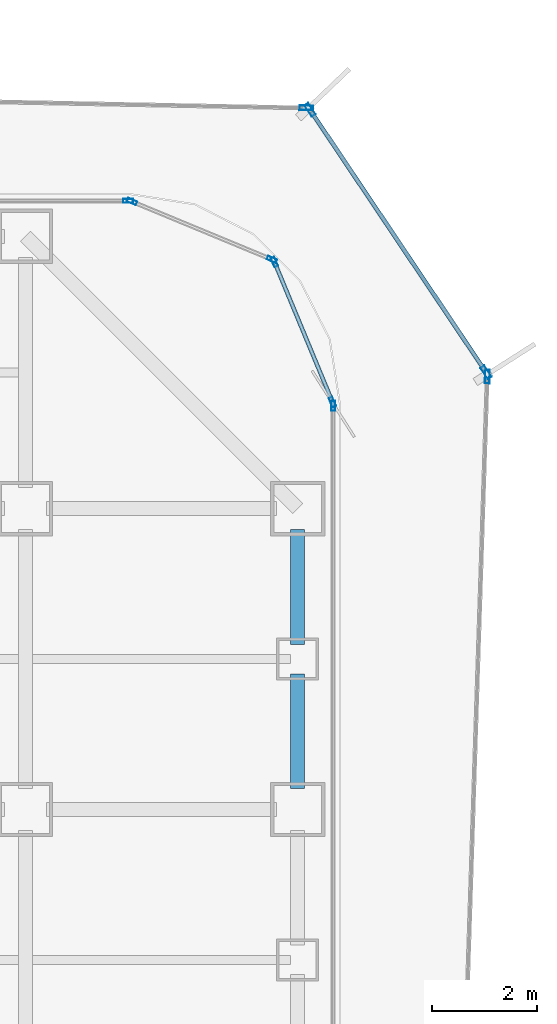
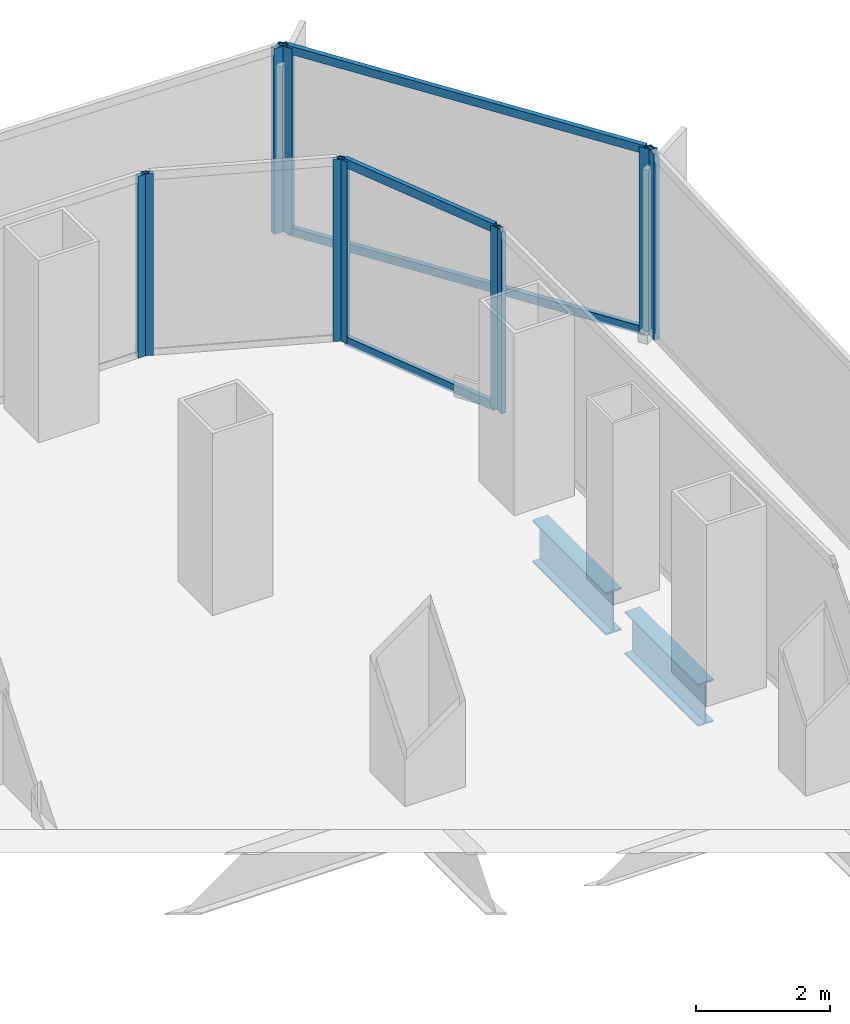
# One storey, part 15 of 21: 14 members, 2 beams, 7 elements without a shape of their own.
"""IFC4 building model written with IfcOpenShell, lengths in metres."""

from ifc_helpers import new_model, si_unit, direction, frame, origin, origin_2d, place, context, subcontext, project, spatial, hollow_rectangle, i_section, extrude, source, transform, mapped, material, layer, layer_set, material_profile, profile_set, type_object, element, aggregate, save


model = new_model("IFC4")

# Units and contexts
model_context = context("Model", 3, precision=1e-05, world=origin(), true_north=direction((0.0, 1.0)))
body_context = subcontext(model_context, "Body", "Model", "MODEL_VIEW")
ifc_project = project(units=[si_unit("LENGTHUNIT", "METRE"), si_unit("AREAUNIT", "SQUARE_METRE"), si_unit("VOLUMEUNIT", "CUBIC_METRE"), si_unit("PLANEANGLEUNIT", "RADIAN"), si_unit("MASSUNIT", "GRAM", prefix="KILO")], contexts=[model_context])

# Site, building, storey
site_placement = place(None, origin())
site = spatial("IfcSite", under=ifc_project, at=site_placement, CompositionType="ELEMENT")
building_placement = place(site_placement, origin())
building = spatial("IfcBuilding", under=site, at=building_placement, Name="Kolveth Station Tower", CompositionType="ELEMENT")
storey_placement = place(building_placement, frame((0.0, 0.0, 33.300048828125)))
storey = spatial("IfcBuildingStorey", under=building, at=storey_placement, Name="L08", CompositionType="ELEMENT", Elevation=33.300048828125)

# Beams
ifc_material_1 = material(Name="Steel S355", Category="steel")
ifc_material_profile_1 = material_profile(ifc_material_1, i_section(OverallWidth=0.26904296875, OverallDepth=0.77490234375, WebThickness=0.01708984375, FlangeThickness=0.0283203125, at=origin_2d()), Name="W760x220")
ifc_profile_set_1 = profile_set([ifc_material_profile_1], Name="Steel S355")
beam_type = type_object("IfcBeamType", Name="Beam_SP1", PredefinedType="SPANDREL", material=ifc_profile_set_1)
shared_shape_1 = source(origin(), body_context, "Body", "SweptSolid", [
    extrude(i_section(OverallWidth=0.26904296875, OverallDepth=0.77490234375, WebThickness=0.01708984375, FlangeThickness=0.0283203125, at=origin_2d()), origin(), (0.0, 0.0, 1.0), 2.2001953125),
])
beam_1_placement = place(storey_placement, frame((46.199951171875, 31.89990234375, -0.66748046875), z_axis=(0.0, 1.0, 0.0), x_axis=(-1.0, 0.0, 0.0)))
element("IfcBeam", 1, at=beam_1_placement, inside=storey, type_object=beam_type, Name="L08 Perimeter Spandrel BM-L08-PE-10", PredefinedType="SPANDREL", context=body_context, shape_type="MappedRepresentation", body=[
    mapped(shared_shape_1, transform((0.0, 0.0, 0.0), x_axis=(1.0, 0.0, 0.0), y_axis=(0.0, 1.0, 0.0), z_axis=(0.0, 0.0, 1.0), scale=1.0)),
])
shared_shape_2 = source(origin(), body_context, "Body", "SweptSolid", [
    extrude(i_section(OverallWidth=0.26904296875, OverallDepth=0.77490234375, WebThickness=0.01708984375, FlangeThickness=0.0283203125, at=origin_2d()), origin(), (0.0, 0.0, 1.0), 2.190185546875),
])
beam_2_placement = place(storey_placement, frame((46.199951171875, 29.14990234375, -0.66748046875), z_axis=(0.0, 1.0, 0.0), x_axis=(-1.0, 0.0, 0.0)))
element("IfcBeam", 2, at=beam_2_placement, inside=storey, type_object=beam_type, Name="L08 Perimeter Spandrel BM-L08-PE-9", PredefinedType="SPANDREL", context=body_context, shape_type="MappedRepresentation", body=[
    mapped(shared_shape_2, transform((0.0, 0.0, 0.0), x_axis=(1.0, 0.0, 0.0), y_axis=(0.0, 1.0, 0.0), z_axis=(0.0, 0.0, 1.0), scale=1.0)),
])

# Curtain wall, member
ifc_material_2 = material(Name="Aluminium 6063-T6 and low-E dark glass", Category="aluminium")
ifc_layer_1 = layer(ifc_material_2, 0.179931640625)
ifc_layer_set_1 = layer_set([ifc_layer_1], Name="Aluminium 6063-T6 and low-E dark glass")
curtain_wall_type_1 = type_object("IfcCurtainWallType", Name="CurtainWall_CW-Z1", PredefinedType="NOTDEFINED", material=ifc_layer_set_1)
curtain_wall_1_placement = place(storey_placement, origin())
curtain_wall_1 = element("IfcCurtainWall", 3, at=curtain_wall_1_placement, inside=storey, type_object=curtain_wall_type_1, Name="L08 Inner Thermal Curtain Wall 3", PredefinedType="NOTDEFINED")
ifc_material_3 = material(Name="Black anodized aluminium 6063-T6", Category="aluminium")
ifc_material_profile_2 = material_profile(ifc_material_3, hollow_rectangle(XDim=0.074951171875, YDim=0.18994140625, WallThickness=0.0048828125, at=origin_2d()), Name="ALU-75x190x5")
ifc_profile_set_2 = profile_set([ifc_material_profile_2], Name="Black anodized aluminium 6063-T6")
member_type_1 = type_object("IfcMemberType", Name="Mullion_ML1", PredefinedType="MULLION", material=ifc_profile_set_2)
shared_shape_3 = source(origin(), body_context, "Body", "SweptSolid", [
    extrude(hollow_rectangle(XDim=0.074951171875, YDim=0.18994140625, WallThickness=0.0048828125, at=origin_2d()), origin(), (0.0, 0.0, 1.0), 3.320068359375),
])
member_1_placement = place(storey_placement, frame((46.8798828125, 36.46240234375, 0.0), z_axis=(0.0, 0.0, 1.0), x_axis=(-1.0, 0.0, 0.0)))
member_1 = element("IfcMember", 4, at=member_1_placement, type_object=member_type_1, Name="CW-Z1 mullion 2", PredefinedType="MULLION", context=body_context, shape_type="MappedRepresentation", body=[
    mapped(shared_shape_3, transform((0.0, 0.0, 0.0), x_axis=(1.0, 0.0, 0.0), y_axis=(0.0, 1.0, 0.0), z_axis=(0.0, 0.0, 1.0), scale=1.0)),
])
aggregate(curtain_wall_1, [member_1])

# Curtain wall, members
curtain_wall_2_placement = place(storey_placement, origin())
curtain_wall_2 = element("IfcCurtainWall", 5, at=curtain_wall_2_placement, inside=storey, type_object=curtain_wall_type_1, Name="L08 Inner Thermal Curtain Wall 4", PredefinedType="NOTDEFINED")
member_2_placement = place(storey_placement, frame((46.86572265625, 36.53466796875, 0.0), z_axis=(0.0, 0.0, 1.0), x_axis=(-0.923883857728, -0.382672990201, 0.0)))
member_2 = element("IfcMember", 6, at=member_2_placement, type_object=member_type_1, Name="CW-Z1 mullion 1", PredefinedType="MULLION", context=body_context, shape_type="MappedRepresentation", body=[
    mapped(shared_shape_3, transform((0.0, 0.0, 0.0), x_axis=(1.0, 0.0, 0.0), y_axis=(0.0, 1.0, 0.0), z_axis=(0.0, 0.0, 1.0), scale=1.0)),
])
member_3_placement = place(storey_placement, frame((45.758056640625, 39.208984375, 0.0), z_axis=(0.0, 0.0, 1.0), x_axis=(-0.923883857728, -0.382672990201, 0.0)))
member_3 = element("IfcMember", 7, at=member_3_placement, type_object=member_type_1, Name="CW-Z1 mullion 2", PredefinedType="MULLION", context=body_context, shape_type="MappedRepresentation", body=[
    mapped(shared_shape_3, transform((0.0, 0.0, 0.0), x_axis=(1.0, 0.0, 0.0), y_axis=(0.0, 1.0, 0.0), z_axis=(0.0, 0.0, 1.0), scale=1.0)),
])

curtain_wall_3_placement = place(storey_placement, origin())
curtain_wall_3 = element("IfcCurtainWall", 8, at=curtain_wall_3_placement, inside=storey, type_object=curtain_wall_type_1, Name="L08 Inner Thermal Curtain Wall 5", PredefinedType="NOTDEFINED")
member_4_placement = place(storey_placement, frame((45.708984375, 39.258056640625, 0.0), z_axis=(0.0, 0.0, 1.0), x_axis=(-0.382672990201, -0.923883857728, 0.0)))
member_4 = element("IfcMember", 9, at=member_4_placement, type_object=member_type_1, Name="CW-Z1 mullion 1", PredefinedType="MULLION", context=body_context, shape_type="MappedRepresentation", body=[
    mapped(shared_shape_3, transform((0.0, 0.0, 0.0), x_axis=(1.0, 0.0, 0.0), y_axis=(0.0, 1.0, 0.0), z_axis=(0.0, 0.0, 1.0), scale=1.0)),
])
member_5_placement = place(storey_placement, frame((43.03466796875, 40.36572265625, 0.0), z_axis=(0.0, 0.0, 1.0), x_axis=(-0.382672990201, -0.923883857728, 0.0)))
member_5 = element("IfcMember", 10, at=member_5_placement, type_object=member_type_1, Name="CW-Z1 mullion 2", PredefinedType="MULLION", context=body_context, shape_type="MappedRepresentation", body=[
    mapped(shared_shape_3, transform((0.0, 0.0, 0.0), x_axis=(1.0, 0.0, 0.0), y_axis=(0.0, 1.0, 0.0), z_axis=(0.0, 0.0, 1.0), scale=1.0)),
])
aggregate(curtain_wall_3, [member_4, member_5])

# Curtain wall, member
curtain_wall_4_placement = place(storey_placement, origin())
curtain_wall_4 = element("IfcCurtainWall", 11, at=curtain_wall_4_placement, inside=storey, type_object=curtain_wall_type_1, Name="L08 Inner Thermal Curtain Wall 6", PredefinedType="NOTDEFINED")
member_6_placement = place(storey_placement, frame((42.96240234375, 40.3798828125, 0.0), z_axis=(0.0, 0.0, 1.0), x_axis=(0.0, -1.0, 0.0)))
member_6 = element("IfcMember", 12, at=member_6_placement, type_object=member_type_1, Name="CW-Z1 mullion 1", PredefinedType="MULLION", context=body_context, shape_type="MappedRepresentation", body=[
    mapped(shared_shape_3, transform((0.0, 0.0, 0.0), x_axis=(1.0, 0.0, 0.0), y_axis=(0.0, 1.0, 0.0), z_axis=(0.0, 0.0, 1.0), scale=1.0)),
])
aggregate(curtain_wall_4, [member_6])

# Member
ifc_material_profile_3 = material_profile(ifc_material_3, hollow_rectangle(XDim=0.074951171875, YDim=0.159912109375, WallThickness=0.0048828125, at=origin_2d()), Name="ALU-75x160x5")
ifc_profile_set_3 = profile_set([ifc_material_profile_3], Name="Black anodized aluminium 6063-T6")
member_type_2 = type_object("IfcMemberType", Name="Transom_TR1", PredefinedType="USERDEFINED", material=ifc_profile_set_3)
shared_shape_4 = source(origin(), body_context, "Body", "SweptSolid", [
    extrude(hollow_rectangle(XDim=0.074951171875, YDim=0.159912109375, WallThickness=0.0048828125, at=origin_2d()), origin(), (0.0, 0.0, 1.0), 2.819580078125),
])
member_7_placement = place(storey_placement, frame((46.851318359375, 36.5693359375, 0.037353515625), z_axis=(-0.382708655389, 0.923869084389, 0.0), x_axis=(-0.923869084389, -0.382708655389, 0.0)))
member_7 = element("IfcMember", 13, at=member_7_placement, type_object=member_type_2, Name="CW-Z1 transom 1.1", ObjectType="TRANSOM", PredefinedType="USERDEFINED", context=body_context, shape_type="MappedRepresentation", body=[
    mapped(shared_shape_4, transform((0.0, 0.0, 0.0), x_axis=(1.0, 0.0, 0.0), y_axis=(0.0, 1.0, 0.0), z_axis=(0.0, 0.0, 1.0), scale=1.0)),
])

member_8_placement = place(storey_placement, frame((46.851318359375, 36.5693359375, 3.282470703125), z_axis=(-0.382708655389, 0.923869084389, 0.0), x_axis=(-0.923869084389, -0.382708655389, 0.0)))
member_8 = element("IfcMember", 14, at=member_8_placement, type_object=member_type_2, Name="CW-Z1 transom 1.2", ObjectType="TRANSOM", PredefinedType="USERDEFINED", context=body_context, shape_type="MappedRepresentation", body=[
    mapped(shared_shape_4, transform((0.0, 0.0, 0.0), x_axis=(1.0, 0.0, 0.0), y_axis=(0.0, 1.0, 0.0), z_axis=(0.0, 0.0, 1.0), scale=1.0)),
])

aggregate(curtain_wall_2, [member_2, member_3, member_7, member_8])

# Curtain wall, member
ifc_material_4 = material(Name="Black anodized aluminium 6063-T6 and dark solar glass", Category="aluminium")
ifc_layer_2 = layer(ifc_material_4, 0.159912109375)
ifc_layer_set_2 = layer_set([ifc_layer_2], Name="Black anodized aluminium 6063-T6 and dark solar glass")
curtain_wall_type_2 = type_object("IfcCurtainWallType", Name="OUTER SKIN CW-OS", PredefinedType="NOTDEFINED", material=ifc_layer_set_2)
curtain_wall_5_placement = place(storey_placement, origin())
curtain_wall_5 = element("IfcCurtainWall", 15, at=curtain_wall_5_placement, inside=storey, type_object=curtain_wall_type_2, Name="L08 Outer Ventilated Skin Curtain Wall 2", PredefinedType="NOTDEFINED")
ifc_material_profile_4 = material_profile(ifc_material_3, hollow_rectangle(XDim=0.090087890625, YDim=0.260009765625, WallThickness=0.0048828125, at=origin_2d()), Name="ALU-90x260x5")
ifc_profile_set_4 = profile_set([ifc_material_profile_4], Name="Black anodized aluminium 6063-T6")
member_type_3 = type_object("IfcMemberType", Name="FIN MULLION ML-OS", PredefinedType="MULLION", material=ifc_profile_set_4)
shared_shape_5 = source(origin(), body_context, "Body", "SweptSolid", [
    extrude(hollow_rectangle(XDim=0.090087890625, YDim=0.260009765625, WallThickness=0.0048828125, at=origin_2d()), origin(), (0.0, 0.0, 1.0), 3.389892578125),
])
member_9_placement = place(storey_placement, frame((49.8251953125, 37.01953125, 0.0), z_axis=(0.0, 0.0, 1.0), x_axis=(-0.999476657517, 0.032348277825, 0.0)))
member_9 = element("IfcMember", 16, at=member_9_placement, type_object=member_type_3, Name="CW-OS mullion 2", PredefinedType="MULLION", context=body_context, shape_type="MappedRepresentation", body=[
    mapped(shared_shape_5, transform((0.0, 0.0, 0.0), x_axis=(1.0, 0.0, 0.0), y_axis=(0.0, 1.0, 0.0), z_axis=(0.0, 0.0, 1.0), scale=1.0)),
])
aggregate(curtain_wall_5, [member_9])

# Curtain wall, members
curtain_wall_6_placement = place(storey_placement, origin())
curtain_wall_6 = element("IfcCurtainWall", 17, at=curtain_wall_6_placement, inside=storey, type_object=curtain_wall_type_2, Name="L08 Outer Ventilated Skin Curtain Wall 3", PredefinedType="NOTDEFINED")
member_10_placement = place(storey_placement, frame((49.801513671875, 37.101806640625, 0.0), z_axis=(0.0, 0.0, 1.0), x_axis=(-0.830448380667, -0.557095581609, 0.0)))
member_10 = element("IfcMember", 18, at=member_10_placement, type_object=member_type_3, Name="CW-OS mullion 1", PredefinedType="MULLION", context=body_context, shape_type="MappedRepresentation", body=[
    mapped(shared_shape_5, transform((0.0, 0.0, 0.0), x_axis=(1.0, 0.0, 0.0), y_axis=(0.0, 1.0, 0.0), z_axis=(0.0, 0.0, 1.0), scale=1.0)),
])
member_11_placement = place(storey_placement, frame((46.436279296875, 42.118408203125, 0.0), z_axis=(0.0, 0.0, 1.0), x_axis=(-0.830448380667, -0.557095581609, 0.0)))
member_11 = element("IfcMember", 19, at=member_11_placement, type_object=member_type_3, Name="CW-OS mullion 2", PredefinedType="MULLION", context=body_context, shape_type="MappedRepresentation", body=[
    mapped(shared_shape_5, transform((0.0, 0.0, 0.0), x_axis=(1.0, 0.0, 0.0), y_axis=(0.0, 1.0, 0.0), z_axis=(0.0, 0.0, 1.0), scale=1.0)),
])

# Curtain wall, member
curtain_wall_7_placement = place(storey_placement, origin())
curtain_wall_7 = element("IfcCurtainWall", 20, at=curtain_wall_7_placement, inside=storey, type_object=curtain_wall_type_2, Name="L08 Outer Ventilated Skin Curtain Wall 4", PredefinedType="NOTDEFINED")
member_12_placement = place(storey_placement, frame((46.3662109375, 42.15673828125, 0.0), z_axis=(0.0, 0.0, 1.0), x_axis=(-0.019601522443, -0.999807871702, 0.0)))
member_12 = element("IfcMember", 21, at=member_12_placement, type_object=member_type_3, Name="CW-OS mullion 1", PredefinedType="MULLION", context=body_context, shape_type="MappedRepresentation", body=[
    mapped(shared_shape_5, transform((0.0, 0.0, 0.0), x_axis=(1.0, 0.0, 0.0), y_axis=(0.0, 1.0, 0.0), z_axis=(0.0, 0.0, 1.0), scale=1.0)),
])
aggregate(curtain_wall_7, [member_12])

# Member
ifc_material_profile_5 = material_profile(ifc_material_3, hollow_rectangle(XDim=0.080078125, YDim=0.14990234375, WallThickness=0.0048828125, at=origin_2d()), Name="ALU-80x150x5")
ifc_profile_set_5 = profile_set([ifc_material_profile_5], Name="Black anodized aluminium 6063-T6")
member_type_4 = type_object("IfcMemberType", Name="Transom_TR-OS", PredefinedType="USERDEFINED", material=ifc_profile_set_5)
shared_shape_6 = source(origin(), body_context, "Body", "SweptSolid", [
    extrude(hollow_rectangle(XDim=0.080078125, YDim=0.14990234375, WallThickness=0.0048828125, at=origin_2d()), origin(), (0.0, 0.0, 1.0), 5.950927734375),
])
member_13_placement = place(storey_placement, frame((49.776611328125, 37.13916015625, 0.0400390625), z_axis=(-0.557093189826, 0.830449985158, 0.0), x_axis=(-0.830449985158, -0.557093189826, 0.0)))
member_13 = element("IfcMember", 22, at=member_13_placement, type_object=member_type_4, Name="CW-OS transom 1.1", ObjectType="TRANSOM", PredefinedType="USERDEFINED", context=body_context, shape_type="MappedRepresentation", body=[
    mapped(shared_shape_6, transform((0.0, 0.0, 0.0), x_axis=(1.0, 0.0, 0.0), y_axis=(0.0, 1.0, 0.0), z_axis=(0.0, 0.0, 1.0), scale=1.0)),
])

member_14_placement = place(storey_placement, frame((49.776611328125, 37.13916015625, 3.349853515625), z_axis=(-0.557093189826, 0.830449985158, 0.0), x_axis=(-0.830449985158, -0.557093189826, 0.0)))
member_14 = element("IfcMember", 23, at=member_14_placement, type_object=member_type_4, Name="CW-OS transom 1.2", ObjectType="TRANSOM", PredefinedType="USERDEFINED", context=body_context, shape_type="MappedRepresentation", body=[
    mapped(shared_shape_6, transform((0.0, 0.0, 0.0), x_axis=(1.0, 0.0, 0.0), y_axis=(0.0, 1.0, 0.0), z_axis=(0.0, 0.0, 1.0), scale=1.0)),
])

aggregate(curtain_wall_6, [member_10, member_11, member_13, member_14])

save(model, "model.ifc")
